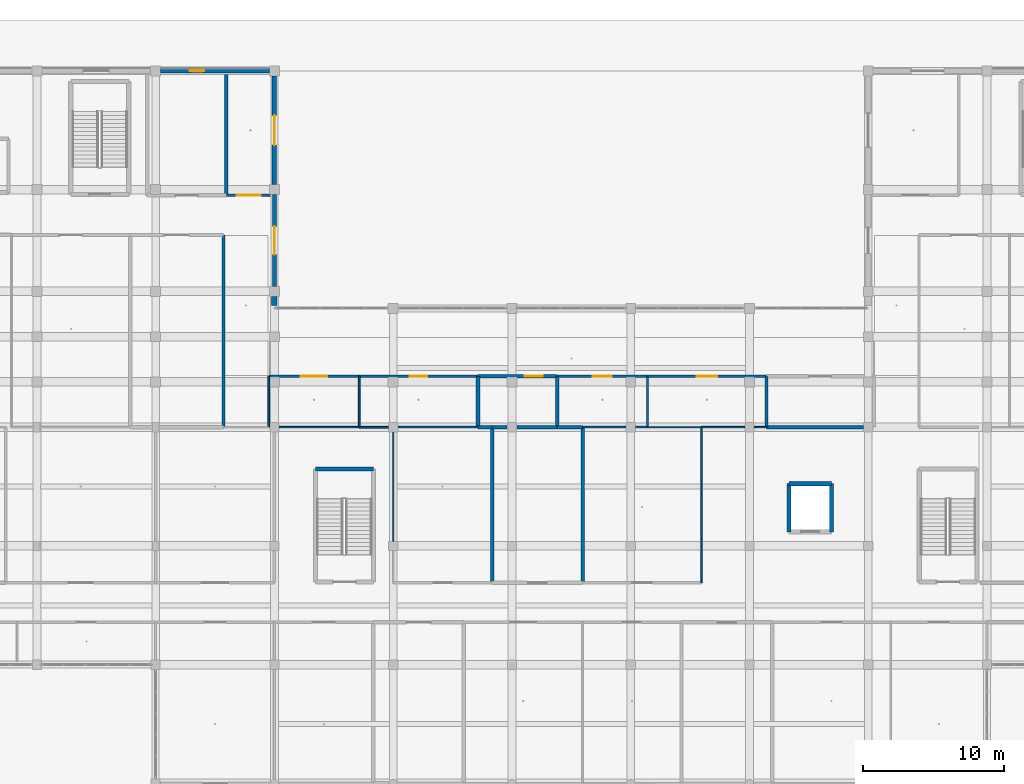
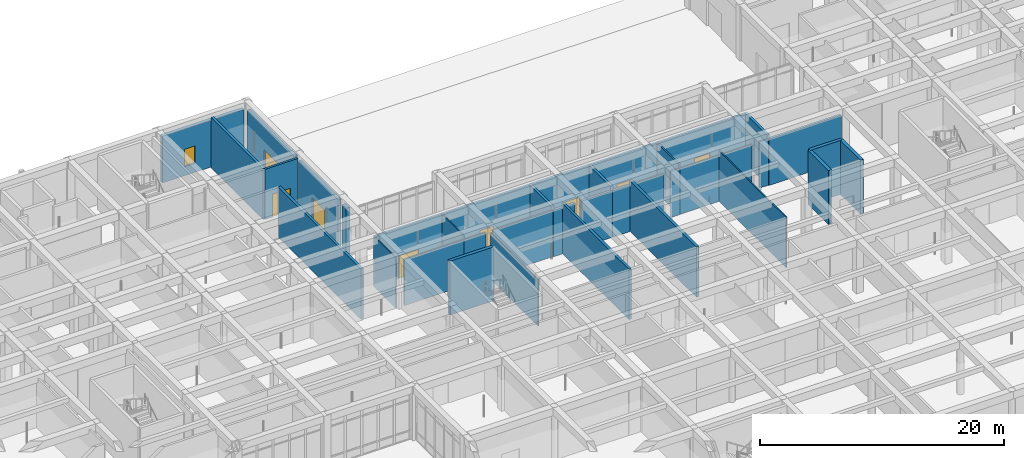
# One storey, part 71 of 167: 39 walls, 8 doors, 1 window, 9 openings.
"""IFC4 building model written with IfcOpenShell, lengths in metres."""

from ifc_helpers import new_model, si_unit, direction, frame, frame_2d, origin, place, context, subcontext, project, spatial, rectangle, extrude, material, layer, layer_set, type_object, element, fill, save


model = new_model("IFC4")

# Units and contexts
model_context = context("Model", 3, precision=1e-05, world=origin(), true_north=direction((0.0, 1.0)))
body_context = subcontext(model_context, "Body", "Model", "MODEL_VIEW")
ifc_project = project(units=[si_unit("LENGTHUNIT", "METRE"), si_unit("AREAUNIT", "SQUARE_METRE"), si_unit("VOLUMEUNIT", "CUBIC_METRE"), si_unit("PLANEANGLEUNIT", "RADIAN"), si_unit("MASSUNIT", "GRAM", prefix="KILO")], contexts=[model_context])

# Site, building, storey
site_placement = place(None, origin())
site = spatial("IfcSite", under=ifc_project, at=site_placement, CompositionType="ELEMENT")
building_placement = place(site_placement, origin())
building = spatial("IfcBuilding", under=site, at=building_placement, Name="Varncliffe General Hospital", CompositionType="ELEMENT")
storey_placement = place(building_placement, origin())
storey = spatial("IfcBuildingStorey", under=building, at=storey_placement, Name="L00", CompositionType="ELEMENT", Elevation=0.0)

# Wall, opening, door
ifc_material_1 = material(Name="Precast concrete C40/50 with insulated cream lime-cement stucco", Category="concrete")
ifc_layer_1 = layer(ifc_material_1, 0.31005859375)
ifc_layer_set_1 = layer_set([ifc_layer_1], Name="Precast concrete C40/50 with insulated cream lime-cement stucco")
wall_type_1 = type_object("IfcWallType", Name="Exterior Insulated Stucco Wall EW20 (310mm)", PredefinedType="SOLIDWALL", material=ifc_layer_set_1)
wall_1_placement = place(storey_placement, frame((67.199951171875, 124.451904296875, 0.0), z_axis=(0.0, 0.0, 1.0), x_axis=(0.0, -1.0, 0.0)))
wall_1 = element("IfcWall", 1, at=wall_1_placement, inside=storey, type_object=wall_type_1, Name="L00 Exterior Stucco Wall EW20-21", PredefinedType="SOLIDWALL", context=body_context, shape_type="SweptSolid", body=[
    extrude(rectangle(XDim=7.703857421875, YDim=0.31005859375, at=frame_2d((3.85205078125, 0.0))), origin(), (0.0, 0.0, 1.0), 4.679931640625),
])
opening_1_placement = place(wall_1_placement, frame((2.802001953125, 0.0, 0.0)))
opening_1 = element("IfcOpeningElement", 2, at=opening_1_placement, cuts=wall_1, Name="Opening DE44", PredefinedType="OPENING", context=body_context, shape_type="SweptSolid", body=[
    extrude(rectangle(XDim=2.10009765625, YDim=2.35009765625, at=frame_2d((1.050048828125, 1.175048828125))), frame((0.0, 0.1650390625, 0.0), z_axis=(0.0, -1.0, 0.0), x_axis=(1.0, 0.0, 0.0)), (0.0, 0.0, 1.0), 0.330078125),
])
ifc_material_2 = material(Name="Thermally broken bronze-anodized aluminium and safety glass door", Category="aluminium")
door_type_1 = type_object("IfcDoorType", Name="Exterior Pedestrian Door DE44 (2100x2350)", OperationType="NOTDEFINED", PredefinedType="DOOR", material=ifc_material_2)
door_1_placement = place(opening_1_placement, origin())
door_1 = element("IfcDoor", 3, at=door_1_placement, inside=storey, type_object=door_type_1, Name="Main Pedestrian Entrance and Final Exit Door FE-03", OperationType="DOUBLE_DOOR_SINGLE_SWING", OverallHeight=2.35009765625, OverallWidth=2.10009765625, PredefinedType="DOOR", context=body_context, shape_type="SweptSolid", body=[
    extrude(rectangle(XDim=2.10009765625, YDim=2.35009765625, at=frame_2d((1.050048828125, 1.175048828125))), frame((0.0, 0.02490234375, 0.0), z_axis=(0.0, -1.0, 0.0), x_axis=(1.0, 0.0, 0.0)), (0.0, 0.0, 1.0), 0.050048828125),
])
fill(opening_1, door_1)

# Wall
ifc_layer_2 = layer(ifc_material_1, 0.3798828125)
ifc_layer_set_2 = layer_set([ifc_layer_2], Name="Precast concrete C40/50 with insulated cream lime-cement stucco")
wall_type_2 = type_object("IfcWallType", Name="Exterior Insulated Stucco Wall EW26 (380mm)", PredefinedType="SOLIDWALL", material=ifc_layer_set_2)
wall_2_placement = place(storey_placement, frame((67.199951171875, 108.85205078125, 0.0), z_axis=(0.0, 0.0, 1.0), x_axis=(0.0, -1.0, 0.0)))
element("IfcWall", 4, at=wall_2_placement, inside=storey, type_object=wall_type_2, Name="L00 Exterior Stucco Wall EW26-23", PredefinedType="SOLIDWALL", context=body_context, shape_type="SweptSolid", body=[
    extrude(rectangle(XDim=0.656982421875, YDim=0.3798828125, at=frame_2d((0.32861328125, 0.0))), origin(), (0.0, 0.0, 1.0), 4.679931640625),
])

# Wall, opening, door
ifc_layer_3 = layer(ifc_material_1, 0.2900390625)
ifc_layer_set_3 = layer_set([ifc_layer_3], Name="Precast concrete C40/50 with insulated cream lime-cement stucco")
wall_type_3 = type_object("IfcWallType", Name="Exterior Insulated Stucco Wall EW31 (290mm)", PredefinedType="SOLIDWALL", material=ifc_layer_set_3)
wall_3_placement = place(storey_placement, frame((67.199951171875, 116.052001953125, 0.0), z_axis=(0.0, 0.0, 1.0), x_axis=(0.0, -1.0, 0.0)))
wall_3 = element("IfcWall", 5, at=wall_3_placement, inside=storey, type_object=wall_type_3, Name="L00 Exterior Stucco Wall EW31-22", PredefinedType="SOLIDWALL", context=body_context, shape_type="SweptSolid", body=[
    extrude(rectangle(XDim=6.50390625, YDim=0.2900390625, at=frame_2d((3.251953125, 0.0))), origin(), (0.0, 0.0, 1.0), 4.679931640625),
])
opening_2_placement = place(wall_3_placement, frame((2.251953125, 0.0, 0.0)))
opening_2 = element("IfcOpeningElement", 6, at=opening_2_placement, cuts=wall_3, Name="Opening DE53", PredefinedType="OPENING", context=body_context, shape_type="SweptSolid", body=[
    extrude(rectangle(XDim=2.0, YDim=2.300048828125, at=frame_2d((1.0, 1.14990234375))), frame((0.0, 0.155029296875, 0.0), z_axis=(0.0, -1.0, 0.0), x_axis=(1.0, 0.0, 0.0)), (0.0, 0.0, 1.0), 0.31005859375),
])
door_type_2 = type_object("IfcDoorType", Name="Exterior Pedestrian Door DE53 (2000x2300)", OperationType="NOTDEFINED", PredefinedType="DOOR", material=ifc_material_2)
door_2_placement = place(opening_2_placement, origin())
door_2 = element("IfcDoor", 7, at=door_2_placement, inside=storey, type_object=door_type_2, Name="Main Pedestrian Entrance and Final Exit Door FE-04", OperationType="DOUBLE_DOOR_SINGLE_SWING", OverallHeight=2.300048828125, OverallWidth=2.0, PredefinedType="DOOR", context=body_context, shape_type="SweptSolid", body=[
    extrude(rectangle(XDim=2.0, YDim=2.300048828125, at=frame_2d((1.0, 1.14990234375))), frame((0.0, 0.02490234375, 0.0), z_axis=(0.0, -1.0, 0.0), x_axis=(1.0, 0.0, 0.0)), (0.0, 0.0, 1.0), 0.050048828125),
])
fill(opening_2, door_2)

# Wall, opening, window
ifc_layer_4 = layer(ifc_material_1, 0.330078125)
ifc_layer_set_4 = layer_set([ifc_layer_4], Name="Precast concrete C40/50 with insulated cream lime-cement stucco")
wall_type_4 = type_object("IfcWallType", Name="Exterior Insulated Stucco Wall EW33 (330mm)", PredefinedType="SOLIDWALL", material=ifc_layer_set_4)
wall_4_placement = place(storey_placement, frame((59.14794921875, 124.800048828125, 0.0), z_axis=(0.0, 0.0, 1.0), x_axis=(1.0, 0.0, 0.0)))
wall_4 = element("IfcWall", 8, at=wall_4_placement, inside=storey, type_object=wall_type_4, Name="L00 Exterior Stucco Wall EW33-20", PredefinedType="SOLIDWALL", context=body_context, shape_type="SweptSolid", body=[
    extrude(rectangle(XDim=7.7041015625, YDim=0.330078125, at=frame_2d((3.85205078125, 0.0))), origin(), (0.0, 0.0, 1.0), 4.679931640625),
])
opening_3_placement = place(wall_4_placement, frame((2.0751953125, 0.0, 0.89990234375)))
opening_3 = element("IfcOpeningElement", 9, at=opening_3_placement, cuts=wall_4, Name="Opening WN53", PredefinedType="OPENING", context=body_context, shape_type="SweptSolid", body=[
    extrude(rectangle(XDim=1.0, YDim=1.75, at=frame_2d((0.5, 0.875))), frame((0.0, 0.175048828125, 0.0), z_axis=(0.0, -1.0, 0.0), x_axis=(1.0, 0.0, 0.0)), (0.0, 0.0, 1.0), 0.35009765625),
])
ifc_material_3 = material(Name="Triple low-E argon insulated vision glazing", Category="glass")
window_type = type_object("IfcWindowType", Name="Triple-Glazed Hospital Window WN53 (1000x1750)", PartitioningType="SINGLE_PANEL", PredefinedType="WINDOW", material=ifc_material_3)
window_placement = place(opening_3_placement, origin())
window = element("IfcWindow", 10, at=window_placement, inside=storey, type_object=window_type, Name="L00 Hospital Window WN53-15", OverallHeight=1.75, OverallWidth=1.0, PartitioningType="SINGLE_PANEL", PredefinedType="WINDOW", context=body_context, shape_type="SweptSolid", body=[
    extrude(rectangle(XDim=1.0, YDim=1.75, at=frame_2d((0.5, 0.875))), frame((0.0, 0.030029296875, 0.0), z_axis=(0.0, -1.0, 0.0), x_axis=(1.0, 0.0, 0.0)), (0.0, 0.0, 1.0), 0.06005859375),
])
fill(opening_3, window)

# Walls
ifc_material_4 = material(Name="Acoustic clinical gypsum stud partition assembly", Category="gypsum")
ifc_layer_5 = layer(ifc_material_4, 0.1298828125)
ifc_layer_set_5 = layer_set([ifc_layer_5], Name="Acoustic clinical gypsum stud partition assembly")
wall_type_5 = type_object("IfcWallType", Name="Interior Partitioning IW11 (130mm)", PredefinedType="PARTITIONING", material=ifc_layer_set_5)
wall_5_placement = place(storey_placement, frame((73.199951171875, 99.60009765625, 0.0), z_axis=(0.0, 0.0, 1.0), x_axis=(1.0, 0.0, 0.0)))
element("IfcWall", 11, at=wall_5_placement, inside=storey, type_object=wall_type_5, Name="L00 Interior Partition Wall IW11-193", PredefinedType="PARTITIONING", context=body_context, shape_type="SweptSolid", body=[
    extrude(rectangle(XDim=2.06005859375, YDim=0.1298828125, at=frame_2d((1.030029296875, 0.0))), origin(), (0.0, 0.0, 1.0), 4.635009765625),
])
ifc_layer_6 = layer(ifc_material_4, 0.14990234375)
ifc_layer_set_6 = layer_set([ifc_layer_6], Name="Acoustic clinical gypsum stud partition assembly")
wall_type_6 = type_object("IfcWallType", Name="Interior Partitioning IW35 (150mm)", PredefinedType="PARTITIONING", material=ifc_layer_set_6)
wall_6_placement = place(storey_placement, frame((75.93994140625, 99.60009765625, 0.0), z_axis=(0.0, 0.0, 1.0), x_axis=(1.0, 0.0, 0.0)))
element("IfcWall", 12, at=wall_6_placement, inside=storey, type_object=wall_type_6, Name="L00 Interior Partition Wall IW35-194", PredefinedType="PARTITIONING", context=body_context, shape_type="SweptSolid", body=[
    extrude(rectangle(XDim=5.66015625, YDim=0.14990234375, at=frame_2d((2.830078125, 0.0))), origin(), (0.0, 0.0, 1.0), 4.635009765625),
])
wall_7_placement = place(storey_placement, frame((89.0, 99.60009765625, 0.0), z_axis=(0.0, 0.0, 1.0), x_axis=(1.0, 0.0, 0.0)))
element("IfcWall", 13, at=wall_7_placement, inside=storey, type_object=wall_type_6, Name="L00 Interior Partition Wall IW35-199", PredefinedType="PARTITIONING", context=body_context, shape_type="SweptSolid", body=[
    extrude(rectangle(XDim=3.06005859375, YDim=0.14990234375, at=frame_2d((1.530029296875, 0.0))), origin(), (0.0, 0.0, 1.0), 4.635009765625),
])
wall_8_placement = place(storey_placement, frame((92.739990234375, 99.60009765625, 0.0), z_axis=(0.0, 0.0, 1.0), x_axis=(1.0, 0.0, 0.0)))
element("IfcWall", 14, at=wall_8_placement, inside=storey, type_object=wall_type_6, Name="L00 Interior Partition Wall IW35-200", PredefinedType="PARTITIONING", context=body_context, shape_type="SweptSolid", body=[
    extrude(rectangle(XDim=0.860107421875, YDim=0.14990234375, at=frame_2d((0.43017578125, 0.0))), origin(), (0.0, 0.0, 1.0), 4.635009765625),
])
wall_9_placement = place(storey_placement, frame((93.60009765625, 99.60009765625, 0.0), z_axis=(0.0, 0.0, 1.0), x_axis=(0.0, 1.0, 0.0)))
element("IfcWall", 15, at=wall_9_placement, inside=storey, type_object=wall_type_6, Name="L00 Interior Partition Wall IW35-344", PredefinedType="PARTITIONING", context=body_context, shape_type="SweptSolid", body=[
    extrude(rectangle(XDim=3.599853515625, YDim=0.14990234375, at=frame_2d((1.7998046875, 0.0))), origin(), (0.0, 0.0, 1.0), 5.0400390625),
])
ifc_layer_7 = layer(ifc_material_4, 0.090087890625)
ifc_layer_set_7 = layer_set([ifc_layer_7], Name="Acoustic clinical gypsum stud partition assembly")
wall_type_7 = type_object("IfcWallType", Name="Interior Partitioning IW42 (90mm)", PredefinedType="PARTITIONING", material=ifc_layer_set_7)
wall_10_placement = place(storey_placement, frame((93.60009765625, 99.60009765625, 0.0), z_axis=(0.0, 0.0, 1.0), x_axis=(1.0, 0.0, 0.0)))
element("IfcWall", 16, at=wall_10_placement, inside=storey, type_object=wall_type_7, Name="L00 Interior Partition Wall IW42-201", PredefinedType="PARTITIONING", context=body_context, shape_type="SweptSolid", body=[
    extrude(rectangle(XDim=3.7998046875, YDim=0.090087890625, at=frame_2d((1.89990234375, 0.0))), origin(), (0.0, 0.0, 1.0), 4.635009765625),
])
wall_11_placement = place(storey_placement, frame((75.60009765625, 91.5400390625, 0.0), z_axis=(0.0, 0.0, 1.0), x_axis=(0.0, 1.0, 0.0)))
element("IfcWall", 17, at=wall_11_placement, inside=storey, type_object=wall_type_7, Name="L00 Interior Partition Wall IW42-336", PredefinedType="PARTITIONING", context=body_context, shape_type="SweptSolid", body=[
    extrude(rectangle(XDim=7.719970703125, YDim=0.090087890625, at=frame_2d((3.85986328125, 0.0))), origin(), (0.0, 0.0, 1.0), 4.68505859375),
])
ifc_layer_8 = layer(ifc_material_4, 0.110107421875)
ifc_layer_set_8 = layer_set([ifc_layer_8], Name="Acoustic clinical gypsum stud partition assembly")
wall_type_8 = type_object("IfcWallType", Name="Interior Partitioning IW65 (110mm)", PredefinedType="PARTITIONING", material=ifc_layer_set_8)
wall_12_placement = place(storey_placement, frame((67.5400390625, 99.60009765625, 0.0), z_axis=(0.0, 0.0, 1.0), x_axis=(1.0, 0.0, 0.0)))
element("IfcWall", 18, at=wall_12_placement, inside=storey, type_object=wall_type_8, Name="L00 Interior Partition Wall IW65-192", PredefinedType="PARTITIONING", context=body_context, shape_type="SweptSolid", body=[
    extrude(rectangle(XDim=5.659912109375, YDim=0.110107421875, at=frame_2d((2.830078125, 0.0))), origin(), (0.0, 0.0, 1.0), 4.635009765625),
])
wall_13_placement = place(storey_placement, frame((97.39990234375, 99.60009765625, 0.0), z_axis=(0.0, 0.0, 1.0), x_axis=(1.0, 0.0, 0.0)))
element("IfcWall", 19, at=wall_13_placement, inside=storey, type_object=wall_type_8, Name="L00 Interior Partition Wall IW65-202", PredefinedType="PARTITIONING", context=body_context, shape_type="SweptSolid", body=[
    extrude(rectangle(XDim=3.06005859375, YDim=0.110107421875, at=frame_2d((1.530029296875, 0.0))), origin(), (0.0, 0.0, 1.0), 4.635009765625),
])
wall_14_placement = place(storey_placement, frame((101.139892578125, 99.60009765625, 0.0), z_axis=(0.0, 0.0, 1.0), x_axis=(1.0, 0.0, 0.0)))
element("IfcWall", 20, at=wall_14_placement, inside=storey, type_object=wall_type_8, Name="L00 Interior Partition Wall IW65-203", PredefinedType="PARTITIONING", context=body_context, shape_type="SweptSolid", body=[
    extrude(rectangle(XDim=0.860107421875, YDim=0.110107421875, at=frame_2d((0.43017578125, 0.0))), origin(), (0.0, 0.0, 1.0), 4.635009765625),
])
for number, where, z_axis, x_axis, name in (
    (21, (66.800048828125, 99.60009765625, 0.0), (0.0, 0.0, 1.0), (0.0, 1.0, 0.0), "L00 Interior Partition Wall IW65-327"),
    (22, (73.199951171875, 99.60009765625, 0.0), (0.0, 0.0, 1.0), (0.0, 1.0, 0.0), "L00 Interior Partition Wall IW65-332"),
):
    element("IfcWall", number, at=place(storey_placement, frame(where, z_axis=z_axis, x_axis=x_axis)), inside=storey, type_object=wall_type_8, Name=name, PredefinedType="PARTITIONING", context=body_context, shape_type="SweptSolid", body=[
        extrude(rectangle(XDim=3.599853515625, YDim=0.110107421875, at=frame_2d((1.7998046875, 0.0))), origin(), (0.0, 0.0, 1.0), 5.0400390625),
    ])
wall_15_placement = place(storey_placement, frame((97.39990234375, 88.60009765625, 0.0), z_axis=(0.0, 0.0, 1.0), x_axis=(0.0, 1.0, 0.0)))
element("IfcWall", 23, at=wall_15_placement, inside=storey, type_object=wall_type_8, Name="L00 Interior Partition Wall IW65-347", PredefinedType="PARTITIONING", context=body_context, shape_type="SweptSolid", body=[
    extrude(rectangle(XDim=11.0, YDim=0.110107421875, at=frame_2d((5.5, 0.0))), origin(), (0.0, 0.0, 1.0), 5.0400390625),
])
ifc_material_5 = material(Name="Fire-rated gypsum and mineral-wool partition assembly", Category="gypsum")
ifc_layer_9 = layer(ifc_material_5, 0.25)
ifc_layer_set_9 = layer_set([ifc_layer_9], Name="Fire-rated gypsum and mineral-wool partition assembly")
wall_type_9 = type_object("IfcWallType", Name="Interior Partitioning PW38 (250mm)", PredefinedType="PARTITIONING", material=ifc_layer_set_9)
wall_16_placement = place(storey_placement, frame((81.60009765625, 99.60009765625, 0.0), z_axis=(0.0, 0.0, 1.0), x_axis=(1.0, 0.0, 0.0)))
element("IfcWall", 24, at=wall_16_placement, inside=storey, type_object=wall_type_9, Name="L00 Interior Partition Wall PW38-195", PredefinedType="PARTITIONING", context=body_context, shape_type="SweptSolid", body=[
    extrude(rectangle(XDim=1.0, YDim=0.25, at=frame_2d((0.5, 0.0))), origin(), (0.0, 0.0, 1.0), 4.635009765625),
])

# Wall, opening, door
wall_17_placement = place(storey_placement, frame((81.60009765625, 103.199951171875, 0.0), z_axis=(0.0, 0.0, 1.0), x_axis=(1.0, 0.0, 0.0)))
wall_17 = element("IfcWall", 25, at=wall_17_placement, inside=storey, type_object=wall_type_9, Name="L00 Interior Partition Wall PW38-223", PredefinedType="PARTITIONING", context=body_context, shape_type="SweptSolid", body=[
    extrude(rectangle(XDim=5.599853515625, YDim=0.25, at=frame_2d((2.7998046875, 0.0))), origin(), (0.0, 0.0, 1.0), 5.0400390625),
])
opening_4_placement = place(wall_17_placement, frame((3.2958984375, 0.0, 0.0)))
opening_4 = element("IfcOpeningElement", 26, at=opening_4_placement, cuts=wall_17, Name="Opening DC88", PredefinedType="OPENING", context=body_context, shape_type="SweptSolid", body=[
    extrude(rectangle(XDim=1.300048828125, YDim=2.199951171875, at=frame_2d((0.64990234375, 1.10009765625))), frame((0.0, 0.135009765625, 0.0), z_axis=(0.0, -1.0, 0.0), x_axis=(1.0, 0.0, 0.0)), (0.0, 0.0, 1.0), 0.27001953125),
])
ifc_material_6 = material(Name="Fire-rated hospital steel-frame vision-panel door", Category="steel")
door_type_3 = type_object("IfcDoorType", Name="Interior Hospital Door DC88 (1300x2200)", OperationType="NOTDEFINED", PredefinedType="DOOR", material=ifc_material_6)
door_3_placement = place(opening_4_placement, frame((1.300048828125, 0.0, 0.0), z_axis=(0.0, 0.0, 1.0), x_axis=(-1.0, 0.0, 0.0)))
door_3 = element("IfcDoor", 27, at=door_3_placement, inside=storey, type_object=door_type_3, Name="L00 Ground Ward Clean Utility Store 145 Door", OperationType="SINGLE_SWING_LEFT", OverallHeight=2.199951171875, OverallWidth=1.300048828125, PredefinedType="DOOR", context=body_context, shape_type="SweptSolid", body=[
    extrude(rectangle(XDim=1.300048828125, YDim=2.199951171875, at=frame_2d((0.64990234375, 1.10009765625))), frame((0.0, 0.02490234375, 0.0), z_axis=(0.0, -1.0, 0.0), x_axis=(1.0, 0.0, 0.0)), (0.0, 0.0, 1.0), 0.050048828125),
])
fill(opening_4, door_3)

# Walls
wall_18_placement = place(storey_placement, frame((63.800048828125, 116.0, 0.0), z_axis=(0.0, 0.0, 1.0), x_axis=(0.0, 1.0, 0.0)))
element("IfcWall", 28, at=wall_18_placement, inside=storey, type_object=wall_type_9, Name="L00 Interior Partition Wall PW38-323", PredefinedType="PARTITIONING", context=body_context, shape_type="SweptSolid", body=[
    extrude(rectangle(XDim=8.5400390625, YDim=0.25, at=frame_2d((4.27001953125, 0.0))), origin(), (0.0, 0.0, 1.0), 5.0400390625),
])
for number, where, z_axis, x_axis, name in (
    (29, (81.60009765625, 99.60009765625, 0.0), (0.0, 0.0, 1.0), (0.0, 1.0, 0.0), "L00 Interior Partition Wall PW38-339"),
    (30, (87.199951171875, 99.60009765625, 0.0), (0.0, 0.0, 1.0), (0.0, 1.0, 0.0), "L00 Interior Partition Wall PW38-341"),
):
    element("IfcWall", number, at=place(storey_placement, frame(where, z_axis=z_axis, x_axis=x_axis)), inside=storey, type_object=wall_type_9, Name=name, PredefinedType="PARTITIONING", context=body_context, shape_type="SweptSolid", body=[
        extrude(rectangle(XDim=3.599853515625, YDim=0.25, at=frame_2d((1.7998046875, 0.0))), origin(), (0.0, 0.0, 1.0), 5.0400390625),
    ])
wall_19_placement = place(storey_placement, frame((89.0, 88.60009765625, 0.0), z_axis=(0.0, 0.0, 1.0), x_axis=(0.0, 1.0, 0.0)))
element("IfcWall", 31, at=wall_19_placement, inside=storey, type_object=wall_type_9, Name="L00 Interior Partition Wall PW38-343", PredefinedType="PARTITIONING", context=body_context, shape_type="SweptSolid", body=[
    extrude(rectangle(XDim=11.0, YDim=0.25, at=frame_2d((5.5, 0.0))), origin(), (0.0, 0.0, 1.0), 5.0400390625),
])
ifc_layer_10 = layer(ifc_material_5, 0.22998046875)
ifc_layer_set_10 = layer_set([ifc_layer_10], Name="Fire-rated gypsum and mineral-wool partition assembly")
wall_type_10 = type_object("IfcWallType", Name="Interior Partitioning PW48 (230mm)", PredefinedType="PARTITIONING", material=ifc_layer_set_10)
wall_20_placement = place(storey_placement, frame((84.340087890625, 99.60009765625, 0.0), z_axis=(0.0, 0.0, 1.0), x_axis=(1.0, 0.0, 0.0)))
element("IfcWall", 32, at=wall_20_placement, inside=storey, type_object=wall_type_10, Name="L00 Interior Partition Wall PW48-196", PredefinedType="PARTITIONING", context=body_context, shape_type="SweptSolid", body=[
    extrude(rectangle(XDim=2.85986328125, YDim=0.22998046875, at=frame_2d((1.429931640625, 0.0))), origin(), (0.0, 0.0, 1.0), 4.635009765625),
])
wall_21_placement = place(storey_placement, frame((82.60009765625, 99.60009765625, 0.0), z_axis=(0.0, 0.0, 1.0), x_axis=(1.0, 0.0, 0.0)))
element("IfcWall", 33, at=wall_21_placement, inside=storey, type_object=wall_type_10, Name="L00 Interior Partition Wall PW48-197", PredefinedType="PARTITIONING", context=body_context, shape_type="SweptSolid", body=[
    extrude(rectangle(XDim=1.059814453125, YDim=0.22998046875, at=frame_2d((0.52978515625, 0.0))), origin(), (0.0, 0.0, 1.0), 4.635009765625),
])
wall_22_placement = place(storey_placement, frame((87.199951171875, 99.60009765625, 0.0), z_axis=(0.0, 0.0, 1.0), x_axis=(1.0, 0.0, 0.0)))
element("IfcWall", 34, at=wall_22_placement, inside=storey, type_object=wall_type_10, Name="L00 Interior Partition Wall PW48-198", PredefinedType="PARTITIONING", context=body_context, shape_type="SweptSolid", body=[
    extrude(rectangle(XDim=1.800048828125, YDim=0.22998046875, at=frame_2d((0.89990234375, 0.0))), origin(), (0.0, 0.0, 1.0), 4.635009765625),
])
wall_23_placement = place(storey_placement, frame((102.0, 99.60009765625, 0.0), z_axis=(0.0, 0.0, 1.0), x_axis=(1.0, 0.0, 0.0)))
element("IfcWall", 35, at=wall_23_placement, inside=storey, type_object=wall_type_10, Name="L00 Interior Partition Wall PW48-204", PredefinedType="PARTITIONING", context=body_context, shape_type="SweptSolid", body=[
    extrude(rectangle(XDim=6.860107421875, YDim=0.22998046875, at=frame_2d((3.43017578125, 0.0))), origin(), (0.0, 0.0, 1.0), 4.635009765625),
])
wall_24_placement = place(storey_placement, frame((63.60009765625, 99.60009765625, 0.0), z_axis=(0.0, 0.0, 1.0), x_axis=(0.0, 1.0, 0.0)))
element("IfcWall", 36, at=wall_24_placement, inside=storey, type_object=wall_type_10, Name="L00 Interior Partition Wall PW48-322", PredefinedType="PARTITIONING", context=body_context, shape_type="SweptSolid", body=[
    extrude(rectangle(XDim=13.599853515625, YDim=0.22998046875, at=frame_2d((6.7998046875, 0.0))), origin(), (0.0, 0.0, 1.0), 5.0400390625),
])
wall_25_placement = place(storey_placement, frame((82.60009765625, 88.60009765625, 0.0), z_axis=(0.0, 0.0, 1.0), x_axis=(0.0, 1.0, 0.0)))
element("IfcWall", 37, at=wall_25_placement, inside=storey, type_object=wall_type_10, Name="L00 Interior Partition Wall PW48-340", PredefinedType="PARTITIONING", context=body_context, shape_type="SweptSolid", body=[
    extrude(rectangle(XDim=11.0, YDim=0.22998046875, at=frame_2d((5.5, 0.0))), origin(), (0.0, 0.0, 1.0), 5.0400390625),
])
wall_26_placement = place(storey_placement, frame((102.0, 99.60009765625, 0.0), z_axis=(0.0, 0.0, 1.0), x_axis=(0.0, 1.0, 0.0)))
element("IfcWall", 38, at=wall_26_placement, inside=storey, type_object=wall_type_10, Name="L00 Interior Partition Wall PW48-348", PredefinedType="PARTITIONING", context=body_context, shape_type="SweptSolid", body=[
    extrude(rectangle(XDim=3.599853515625, YDim=0.22998046875, at=frame_2d((1.7998046875, 0.0))), origin(), (0.0, 0.0, 1.0), 5.0400390625),
])

# Wall, opening, door
ifc_layer_11 = layer(ifc_material_5, 0.199951171875)
ifc_layer_set_11 = layer_set([ifc_layer_11], Name="Fire-rated gypsum and mineral-wool partition assembly")
wall_type_11 = type_object("IfcWallType", Name="Interior Partitioning PW63 (200mm)", PredefinedType="PARTITIONING", material=ifc_layer_set_11)
wall_27_placement = place(storey_placement, frame((66.800048828125, 103.199951171875, 0.0), z_axis=(0.0, 0.0, 1.0), x_axis=(1.0, 0.0, 0.0)))
wall_27 = element("IfcWall", 39, at=wall_27_placement, inside=storey, type_object=wall_type_11, Name="L00 Interior Partition Wall PW63-221", PredefinedType="PARTITIONING", context=body_context, shape_type="SweptSolid", body=[
    extrude(rectangle(XDim=6.39990234375, YDim=0.199951171875, at=frame_2d((3.199951171875, 0.0))), origin(), (0.0, 0.0, 1.0), 5.0400390625),
])
opening_5_placement = place(wall_27_placement, frame((2.27490234375, 0.0, 0.0)))
opening_5 = element("IfcOpeningElement", 40, at=opening_5_placement, cuts=wall_27, Name="Opening DC38", PredefinedType="OPENING", context=body_context, shape_type="SweptSolid", body=[
    extrude(rectangle(XDim=1.85009765625, YDim=2.300048828125, at=frame_2d((0.925048828125, 1.14990234375))), frame((0.0, 0.10986328125, 0.0), z_axis=(0.0, -1.0, 0.0), x_axis=(1.0, 0.0, 0.0)), (0.0, 0.0, 1.0), 0.219970703125),
])
door_type_4 = type_object("IfcDoorType", Name="Interior Hospital Door DC38 (1850x2300)", OperationType="NOTDEFINED", PredefinedType="DOOR", material=ifc_material_6)
door_4_placement = place(opening_5_placement, frame((1.85009765625, 0.0, 0.0), z_axis=(0.0, 0.0, 1.0), x_axis=(-1.0, 0.0, 0.0)))
door_4 = element("IfcDoor", 41, at=door_4_placement, inside=storey, type_object=door_type_4, Name="L00 Outpatient Phlebotomy and Pre-Admission Clinic 143 Door", OperationType="SINGLE_SWING_LEFT", OverallHeight=2.300048828125, OverallWidth=1.85009765625, PredefinedType="DOOR", context=body_context, shape_type="SweptSolid", body=[
    extrude(rectangle(XDim=1.85009765625, YDim=2.300048828125, at=frame_2d((0.925048828125, 1.14990234375))), frame((0.0, 0.02490234375, 0.0), z_axis=(0.0, -1.0, 0.0), x_axis=(1.0, 0.0, 0.0)), (0.0, 0.0, 1.0), 0.050048828125),
])
fill(opening_5, door_4)

wall_28_placement = place(storey_placement, frame((73.199951171875, 103.199951171875, 0.0), z_axis=(0.0, 0.0, 1.0), x_axis=(1.0, 0.0, 0.0)))
wall_28 = element("IfcWall", 42, at=wall_28_placement, inside=storey, type_object=wall_type_11, Name="L00 Interior Partition Wall PW63-222", PredefinedType="PARTITIONING", context=body_context, shape_type="SweptSolid", body=[
    extrude(rectangle(XDim=8.400146484375, YDim=0.199951171875, at=frame_2d((4.2001953125, 0.0))), origin(), (0.0, 0.0, 1.0), 5.0400390625),
])
opening_6_placement = place(wall_28_placement, frame((3.574951171875, 0.0, 0.0)))
opening_6 = element("IfcOpeningElement", 43, at=opening_6_placement, cuts=wall_28, Name="Opening DC44", PredefinedType="OPENING", context=body_context, shape_type="SweptSolid", body=[
    extrude(rectangle(XDim=1.25, YDim=2.14990234375, at=frame_2d((0.625, 1.074951171875))), frame((0.0, 0.10986328125, 0.0), z_axis=(0.0, -1.0, 0.0), x_axis=(1.0, 0.0, 0.0)), (0.0, 0.0, 1.0), 0.219970703125),
])
door_type_5 = type_object("IfcDoorType", Name="Interior Hospital Door DC44 (1250x2150)", OperationType="NOTDEFINED", PredefinedType="DOOR", material=ifc_material_6)
door_5_placement = place(opening_6_placement, frame((1.25, 0.0, 0.0), z_axis=(0.0, 0.0, 1.0), x_axis=(-1.0, 0.0, 0.0)))
door_5 = element("IfcDoor", 44, at=door_5_placement, inside=storey, type_object=door_type_5, Name="L00 Rehabilitation Ambulation Training Room 144 Door", OperationType="SINGLE_SWING_RIGHT", OverallHeight=2.14990234375, OverallWidth=1.25, PredefinedType="DOOR", context=body_context, shape_type="SweptSolid", body=[
    extrude(rectangle(XDim=1.25, YDim=2.14990234375, at=frame_2d((0.625, 1.074951171875))), frame((0.0, 0.02490234375, 0.0), z_axis=(0.0, -1.0, 0.0), x_axis=(1.0, 0.0, 0.0)), (0.0, 0.0, 1.0), 0.050048828125),
])
fill(opening_6, door_5)

wall_29_placement = place(storey_placement, frame((87.199951171875, 103.199951171875, 0.0), z_axis=(0.0, 0.0, 1.0), x_axis=(1.0, 0.0, 0.0)))
wall_29 = element("IfcWall", 45, at=wall_29_placement, inside=storey, type_object=wall_type_11, Name="L00 Interior Partition Wall PW63-224", PredefinedType="PARTITIONING", context=body_context, shape_type="SweptSolid", body=[
    extrude(rectangle(XDim=6.400146484375, YDim=0.199951171875, at=frame_2d((3.2001953125, 0.0))), origin(), (0.0, 0.0, 1.0), 5.0400390625),
])
opening_7_placement = place(wall_29_placement, frame((2.52490234375, 0.0, 0.0)))
opening_7 = element("IfcOpeningElement", 46, at=opening_7_placement, cuts=wall_29, Name="Opening DC85", PredefinedType="OPENING", context=body_context, shape_type="SweptSolid", body=[
    extrude(rectangle(XDim=1.35009765625, YDim=2.199951171875, at=frame_2d((0.675048828125, 1.10009765625))), frame((0.0, 0.10986328125, 0.0), z_axis=(0.0, -1.0, 0.0), x_axis=(1.0, 0.0, 0.0)), (0.0, 0.0, 1.0), 0.219970703125),
])
door_type_6 = type_object("IfcDoorType", Name="Interior Hospital Door DC85 (1350x2200)", OperationType="NOTDEFINED", PredefinedType="DOOR", material=ifc_material_6)
door_6_placement = place(opening_7_placement, frame((1.35009765625, 0.0, 0.0), z_axis=(0.0, 0.0, 1.0), x_axis=(-1.0, 0.0, 0.0)))
door_6 = element("IfcDoor", 47, at=door_6_placement, inside=storey, type_object=door_type_6, Name="L00 Outpatient Phlebotomy and Pre-Admission Clinic 146 Door", OperationType="SINGLE_SWING_RIGHT", OverallHeight=2.199951171875, OverallWidth=1.35009765625, PredefinedType="DOOR", context=body_context, shape_type="SweptSolid", body=[
    extrude(rectangle(XDim=1.35009765625, YDim=2.199951171875, at=frame_2d((0.675048828125, 1.10009765625))), frame((0.0, 0.02490234375, 0.0), z_axis=(0.0, -1.0, 0.0), x_axis=(1.0, 0.0, 0.0)), (0.0, 0.0, 1.0), 0.050048828125),
])
fill(opening_7, door_6)

wall_30_placement = place(storey_placement, frame((93.60009765625, 103.199951171875, 0.0), z_axis=(0.0, 0.0, 1.0), x_axis=(1.0, 0.0, 0.0)))
wall_30 = element("IfcWall", 48, at=wall_30_placement, inside=storey, type_object=wall_type_11, Name="L00 Interior Partition Wall PW63-225", PredefinedType="PARTITIONING", context=body_context, shape_type="SweptSolid", body=[
    extrude(rectangle(XDim=8.39990234375, YDim=0.199951171875, at=frame_2d((4.199951171875, 0.0))), origin(), (0.0, 0.0, 1.0), 5.0400390625),
])
opening_8_placement = place(wall_30_placement, frame((3.47509765625, 0.0, 0.0)))
opening_8 = element("IfcOpeningElement", 49, at=opening_8_placement, cuts=wall_30, Name="Opening DC66", PredefinedType="OPENING", context=body_context, shape_type="SweptSolid", body=[
    extrude(rectangle(XDim=1.449951171875, YDim=2.25, at=frame_2d((0.72509765625, 1.125))), frame((0.0, 0.10986328125, 0.0), z_axis=(0.0, -1.0, 0.0), x_axis=(1.0, 0.0, 0.0)), (0.0, 0.0, 1.0), 0.219970703125),
])
door_type_7 = type_object("IfcDoorType", Name="Interior Hospital Door DC66 (1450x2250)", OperationType="NOTDEFINED", PredefinedType="DOOR", material=ifc_material_6)
door_7_placement = place(opening_8_placement, frame((1.449951171875, 0.0, 0.0), z_axis=(0.0, 0.0, 1.0), x_axis=(-1.0, 0.0, 0.0)))
door_7 = element("IfcDoor", 50, at=door_7_placement, inside=storey, type_object=door_type_7, Name="L00 Rehabilitation Ambulation Training Room 147 Door", OperationType="SINGLE_SWING_LEFT", OverallHeight=2.25, OverallWidth=1.449951171875, PredefinedType="DOOR", context=body_context, shape_type="SweptSolid", body=[
    extrude(rectangle(XDim=1.449951171875, YDim=2.25, at=frame_2d((0.72509765625, 1.125))), frame((0.0, 0.02490234375, 0.0), z_axis=(0.0, -1.0, 0.0), x_axis=(1.0, 0.0, 0.0)), (0.0, 0.0, 1.0), 0.050048828125),
])
fill(opening_8, door_7)

wall_31_placement = place(storey_placement, frame((63.800048828125, 116.0, 0.0), z_axis=(0.0, 0.0, 1.0), x_axis=(1.0, 0.0, 0.0)))
wall_31 = element("IfcWall", 51, at=wall_31_placement, inside=storey, type_object=wall_type_11, Name="L00 Interior Partition Wall PW63-248", PredefinedType="PARTITIONING", context=body_context, shape_type="SweptSolid", body=[
    extrude(rectangle(XDim=3.139892578125, YDim=0.199951171875, at=frame_2d((1.56982421875, 0.0))), origin(), (0.0, 0.0, 1.0), 5.0400390625),
])
opening_9_placement = place(wall_31_placement, frame((0.719970703125, 0.0, 0.0)))
opening_9 = element("IfcOpeningElement", 52, at=opening_9_placement, cuts=wall_31, Name="Opening DC50", PredefinedType="OPENING", context=body_context, shape_type="SweptSolid", body=[
    extrude(rectangle(XDim=1.699951171875, YDim=2.300048828125, at=frame_2d((0.85009765625, 1.14990234375))), frame((0.0, 0.10986328125, 0.0), z_axis=(0.0, -1.0, 0.0), x_axis=(1.0, 0.0, 0.0)), (0.0, 0.0, 1.0), 0.219970703125),
])
door_type_8 = type_object("IfcDoorType", Name="Interior Hospital Door DC50 (1700x2300)", OperationType="NOTDEFINED", PredefinedType="DOOR", material=ifc_material_6)
door_8_placement = place(opening_9_placement, origin())
door_8 = element("IfcDoor", 53, at=door_8_placement, inside=storey, type_object=door_type_8, Name="L00 Outpatient Phlebotomy and Pre-Admission Clinic 133 Door", OperationType="SINGLE_SWING_RIGHT", OverallHeight=2.300048828125, OverallWidth=1.699951171875, PredefinedType="DOOR", context=body_context, shape_type="SweptSolid", body=[
    extrude(rectangle(XDim=1.699951171875, YDim=2.300048828125, at=frame_2d((0.85009765625, 1.14990234375))), frame((0.0, 0.02490234375, 0.0), z_axis=(0.0, -1.0, 0.0), x_axis=(1.0, 0.0, 0.0)), (0.0, 0.0, 1.0), 0.050048828125),
])
fill(opening_9, door_8)

# Walls
ifc_material_7 = material(Name="Concrete C40/50 (CSA A23.1 40 MPa)", Category="concrete")
ifc_layer_12 = layer(ifc_material_7, 0.300048828125)
ifc_layer_set_12 = layer_set([ifc_layer_12], Name="Concrete C40/50 (CSA A23.1 40 MPa)")
wall_type_12 = type_object("IfcWallType", Name="Reinforced Concrete Core Shear Wall CW12 (300mm)", PredefinedType="SHEAR", material=ifc_layer_set_12)
wall_32_placement = place(storey_placement, frame((74.199951171875, 96.64990234375, 0.0), z_axis=(0.0, 0.0, 1.0), x_axis=(-1.0, 0.0, 0.0)))
element("IfcWall", 54, at=wall_32_placement, inside=storey, type_object=wall_type_12, Name="L00 ST12 Core Shear Wall F", PredefinedType="SHEAR", context=body_context, shape_type="SweptSolid", body=[
    extrude(rectangle(XDim=4.099853515625, YDim=0.300048828125, at=frame_2d((2.0498046875, 0.0))), origin(), (0.0, 0.0, 1.0), 5.39990234375),
])
wall_33_placement = place(storey_placement, frame((106.60009765625, 92.199951171875, 0.0), z_axis=(0.0, 0.0, 1.0), x_axis=(0.0, 1.0, 0.0)))
element("IfcWall", 55, at=wall_33_placement, inside=storey, type_object=wall_type_12, Name="L00 LF07 Elevator Shaft Wall East", PredefinedType="SHEAR", context=body_context, shape_type="SweptSolid", body=[
    extrude(rectangle(XDim=3.400146484375, YDim=0.300048828125, at=frame_2d((1.7001953125, 0.0))), origin(), (0.0, 0.0, 1.0), 5.39990234375),
])
wall_34_placement = place(storey_placement, frame((106.60009765625, 95.60009765625, 0.0), z_axis=(0.0, 0.0, 1.0), x_axis=(-1.0, 0.0, 0.0)))
element("IfcWall", 56, at=wall_34_placement, inside=storey, type_object=wall_type_12, Name="L00 LF07 Elevator Shaft Wall North", PredefinedType="SHEAR", context=body_context, shape_type="SweptSolid", body=[
    extrude(rectangle(XDim=3.0, YDim=0.300048828125, at=frame_2d((1.5, 0.0))), origin(), (0.0, 0.0, 1.0), 5.39990234375),
])
wall_35_placement = place(storey_placement, frame((103.60009765625, 95.60009765625, 0.0), z_axis=(0.0, 0.0, 1.0), x_axis=(0.0, -1.0, 0.0)))
element("IfcWall", 57, at=wall_35_placement, inside=storey, type_object=wall_type_12, Name="L00 LF07 Elevator Shaft Wall West", PredefinedType="SHEAR", context=body_context, shape_type="SweptSolid", body=[
    extrude(rectangle(XDim=3.400146484375, YDim=0.300048828125, at=frame_2d((1.7001953125, 0.0))), origin(), (0.0, 0.0, 1.0), 5.39990234375),
])

save(model, "model.ifc")
